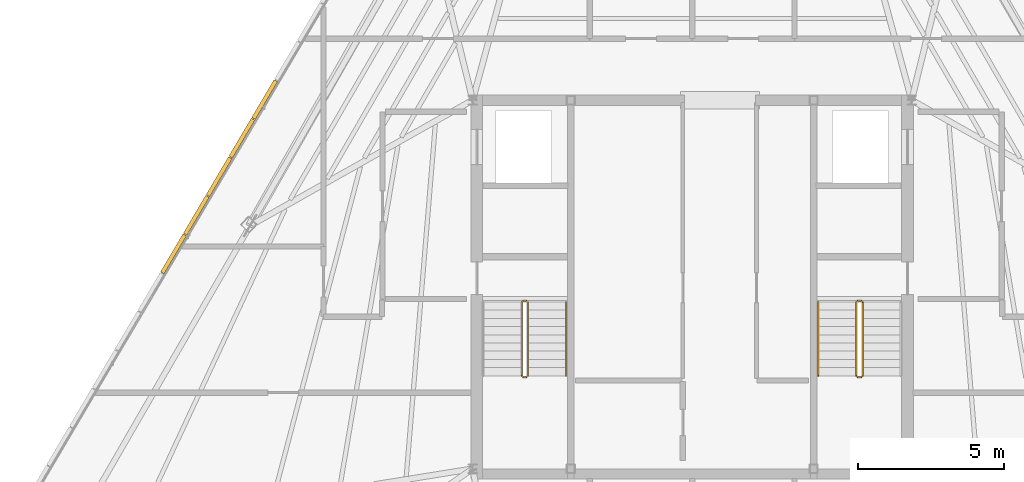
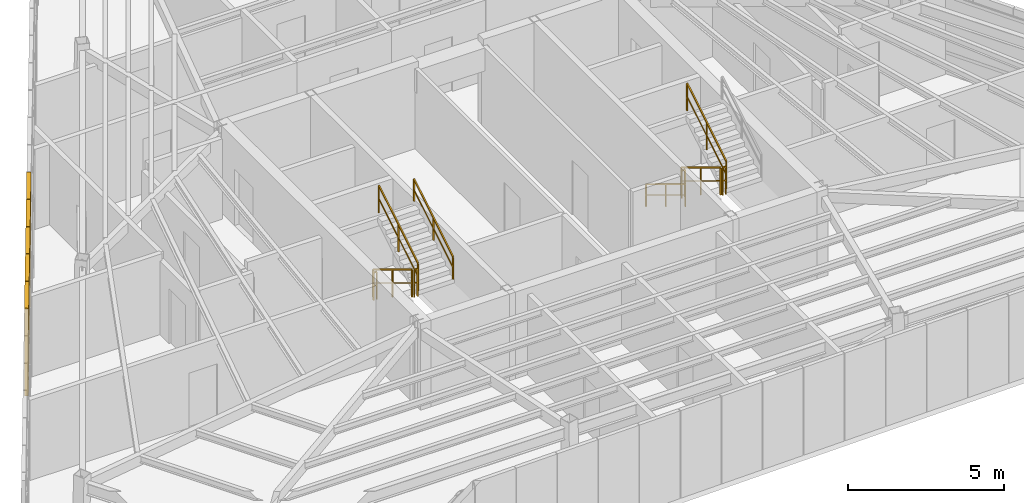
# One storey, part 43 of 44: 10 railings, 5 shading devices.
"""IFC4 building model written with IfcOpenShell, lengths in metres."""

from ifc_helpers import new_model, si_unit, direction, frame, origin, origin_2d, place, context, subcontext, project, spatial, rectangle, extrude, source, transform, mapped, material, layer, layer_set, type_object, type_shapes, element, save


model = new_model("IFC4")

# Units and contexts
model_context = context("Model", 3, precision=1e-05, world=origin(), true_north=direction((0.0, 1.0)))
body_context = subcontext(model_context, "Body", "Model", "MODEL_VIEW")
ifc_project = project(units=[si_unit("LENGTHUNIT", "METRE"), si_unit("AREAUNIT", "SQUARE_METRE"), si_unit("VOLUMEUNIT", "CUBIC_METRE"), si_unit("PLANEANGLEUNIT", "RADIAN"), si_unit("MASSUNIT", "GRAM", prefix="KILO")], contexts=[model_context])

# Site, building, storey
site_placement = place(None, origin())
site = spatial("IfcSite", under=ifc_project, at=site_placement, CompositionType="ELEMENT")
building_placement = place(site_placement, origin())
building = spatial("IfcBuilding", under=site, at=building_placement, Name="Caelisora Broadcast Tower", CompositionType="ELEMENT")
storey_placement = place(building_placement, frame((0.0, 0.0, 289.800048828125)))
storey = spatial("IfcBuildingStorey", under=building, at=storey_placement, Name="L76", CompositionType="ELEMENT", Elevation=289.800048828125)

# Railings
ifc_material_1 = material(Name="Galvanised Steel Safety Guardrail", Category="steel")
ifc_layer_1 = layer(ifc_material_1, 0.048095703125, Name="Galvanised Steel Safety Guardrail")
ifc_layer_set_1 = layer_set([ifc_layer_1], Name="Galvanised Steel Safety Guardrail")
railing_type_1 = type_object("IfcRailingType", Name="GR-1", PredefinedType="GUARDRAIL", material=ifc_layer_set_1)
railing_1_placement = place(storey_placement, frame((32.169921875, 23.10009765625, 0.169921875)))
element("IfcRailing", 1, at=railing_1_placement, inside=storey, type_object=railing_type_1, Name="L76 ST-1 stair guard 1", PredefinedType="GUARDRAIL", context=body_context, shape_type="SweptSolid", body=[
    extrude(rectangle(XDim=0.048095703125, YDim=0.048095703125, at=origin_2d()), frame((0.0, 0.0, 1.076171875), z_axis=(0.0, -0.85478489116, 0.518982456201), x_axis=(1.0, 0.0, 0.0)), (0.0, 0.0, 1.0), 2.9482421875),
    extrude(rectangle(XDim=0.03125, YDim=0.03125, at=origin_2d()), frame((0.0, 0.0, 0.550048828125), z_axis=(0.0, -0.85478489116, 0.518982456201), x_axis=(1.0, 0.0, 0.0)), (0.0, 0.0, 1.0), 2.9482421875),
    extrude(rectangle(XDim=0.0419921875, YDim=0.0419921875, at=origin_2d()), origin(), (0.0, 0.0, 1.0), 1.052001953125),
    extrude(rectangle(XDim=0.0419921875, YDim=0.0419921875, at=origin_2d()), frame((0.0, -1.260009765625, 0.76513671875)), (0.0, 0.0, 1.0), 1.052001953125),
    extrude(rectangle(XDim=0.0419921875, YDim=0.0419921875, at=origin_2d()), frame((0.0, -2.52001953125, 1.530029296875)), (0.0, 0.0, 1.0), 1.052001953125),
])
railing_2_placement = place(storey_placement, frame((32.219970703125, 20.530029296875, 1.699951171875)))
element("IfcRailing", 2, at=railing_2_placement, inside=storey, type_object=railing_type_1, Name="L76 ST-1 stair guard 2", PredefinedType="GUARDRAIL", context=body_context, shape_type="SweptSolid", body=[
    extrude(rectangle(XDim=0.048095703125, YDim=0.048095703125, at=origin_2d()), frame((0.0, 0.0, 1.076171875), z_axis=(1.0, 0.0, 0.0), x_axis=(0.0, 1.0, 0.0)), (0.0, 0.0, 1.0), 0.1201171875),
    extrude(rectangle(XDim=0.03125, YDim=0.03125, at=origin_2d()), frame((0.0, 0.0, 0.550048828125), z_axis=(1.0, 0.0, 0.0), x_axis=(0.0, 1.0, 0.0)), (0.0, 0.0, 1.0), 0.1201171875),
    extrude(rectangle(XDim=0.0419921875, YDim=0.0419921875, at=origin_2d()), origin(), (0.0, 0.0, 1.0), 1.052001953125),
    extrude(rectangle(XDim=0.0419921875, YDim=0.0419921875, at=origin_2d()), frame((0.1201171875, 0.0, 0.0)), (0.0, 0.0, 1.0), 1.052001953125),
])
railing_3_placement = place(storey_placement, frame((32.389892578125, 20.580078125, 1.869873046875)))
element("IfcRailing", 3, at=railing_3_placement, inside=storey, type_object=railing_type_1, Name="L76 ST-1 stair guard 3", PredefinedType="GUARDRAIL", context=body_context, shape_type="SweptSolid", body=[
    extrude(rectangle(XDim=0.048095703125, YDim=0.048095703125, at=origin_2d()), frame((0.0, 0.0, 1.076171875), z_axis=(0.0, 0.85478489116, 0.518982456201), x_axis=(-1.0, 0.0, 0.0)), (0.0, 0.0, 1.0), 2.9482421875),
    extrude(rectangle(XDim=0.03125, YDim=0.03125, at=origin_2d()), frame((0.0, 0.0, 0.550048828125), z_axis=(0.0, 0.85478489116, 0.518982456201), x_axis=(-1.0, 0.0, 0.0)), (0.0, 0.0, 1.0), 2.9482421875),
    extrude(rectangle(XDim=0.0419921875, YDim=0.0419921875, at=origin_2d()), origin(), (0.0, 0.0, 1.0), 1.052001953125),
    extrude(rectangle(XDim=0.0419921875, YDim=0.0419921875, at=origin_2d()), frame((0.0, 1.260009765625, 0.76513671875)), (0.0, 0.0, 1.0), 1.052001953125),
    extrude(rectangle(XDim=0.0419921875, YDim=0.0419921875, at=origin_2d()), frame((0.0, 2.52001953125, 1.530029296875)), (0.0, 0.0, 1.0), 1.052001953125),
])
railing_4_placement = place(storey_placement, frame((32.219970703125, 23.14990234375, 0.0)))
element("IfcRailing", 4, at=railing_4_placement, inside=storey, type_object=railing_type_1, Name="L76 ST-1 stair guard 4", PredefinedType="GUARDRAIL", context=body_context, shape_type="SweptSolid", body=[
    extrude(rectangle(XDim=0.048095703125, YDim=0.048095703125, at=origin_2d()), frame((0.0, 0.0, 1.076171875), z_axis=(1.0, 0.0, 0.0), x_axis=(0.0, 1.0, 0.0)), (0.0, 0.0, 1.0), 0.1201171875),
    extrude(rectangle(XDim=0.03125, YDim=0.03125, at=origin_2d()), frame((0.0, 0.0, 0.550048828125), z_axis=(1.0, 0.0, 0.0), x_axis=(0.0, 1.0, 0.0)), (0.0, 0.0, 1.0), 0.1201171875),
    extrude(rectangle(XDim=0.0419921875, YDim=0.0419921875, at=origin_2d()), origin(), (0.0, 0.0, 1.0), 1.052001953125),
    extrude(rectangle(XDim=0.0419921875, YDim=0.0419921875, at=origin_2d()), frame((0.1201171875, 0.0, 0.0)), (0.0, 0.0, 1.0), 1.052001953125),
])
railing_5_placement = place(storey_placement, frame((43.610107421875, 23.10009765625, 0.169921875)))
element("IfcRailing", 5, at=railing_5_placement, inside=storey, type_object=railing_type_1, Name="L76 ST-2 stair guard 1", PredefinedType="GUARDRAIL", context=body_context, shape_type="SweptSolid", body=[
    extrude(rectangle(XDim=0.048095703125, YDim=0.048095703125, at=origin_2d()), frame((0.0, 0.0, 1.076171875), z_axis=(0.0, -0.85478489116, 0.518982456201), x_axis=(1.0, 0.0, 0.0)), (0.0, 0.0, 1.0), 2.9482421875),
    extrude(rectangle(XDim=0.03125, YDim=0.03125, at=origin_2d()), frame((0.0, 0.0, 0.550048828125), z_axis=(0.0, -0.85478489116, 0.518982456201), x_axis=(1.0, 0.0, 0.0)), (0.0, 0.0, 1.0), 2.9482421875),
    extrude(rectangle(XDim=0.0419921875, YDim=0.0419921875, at=origin_2d()), origin(), (0.0, 0.0, 1.0), 1.052001953125),
    extrude(rectangle(XDim=0.0419921875, YDim=0.0419921875, at=origin_2d()), frame((0.0, -1.260009765625, 0.76513671875)), (0.0, 0.0, 1.0), 1.052001953125),
    extrude(rectangle(XDim=0.0419921875, YDim=0.0419921875, at=origin_2d()), frame((0.0, -2.52001953125, 1.530029296875)), (0.0, 0.0, 1.0), 1.052001953125),
])
railing_6_placement = place(storey_placement, frame((43.659912109375, 20.530029296875, 1.699951171875)))
element("IfcRailing", 6, at=railing_6_placement, inside=storey, type_object=railing_type_1, Name="L76 ST-2 stair guard 2", PredefinedType="GUARDRAIL", context=body_context, shape_type="SweptSolid", body=[
    extrude(rectangle(XDim=0.048095703125, YDim=0.048095703125, at=origin_2d()), frame((0.0, 0.0, 1.076171875), z_axis=(1.0, 0.0, 0.0), x_axis=(0.0, 1.0, 0.0)), (0.0, 0.0, 1.0), 0.1201171875),
    extrude(rectangle(XDim=0.03125, YDim=0.03125, at=origin_2d()), frame((0.0, 0.0, 0.550048828125), z_axis=(1.0, 0.0, 0.0), x_axis=(0.0, 1.0, 0.0)), (0.0, 0.0, 1.0), 0.1201171875),
    extrude(rectangle(XDim=0.0419921875, YDim=0.0419921875, at=origin_2d()), origin(), (0.0, 0.0, 1.0), 1.052001953125),
    extrude(rectangle(XDim=0.0419921875, YDim=0.0419921875, at=origin_2d()), frame((0.1201171875, 0.0, 0.0)), (0.0, 0.0, 1.0), 1.052001953125),
])
railing_7_placement = place(storey_placement, frame((43.830078125, 20.580078125, 1.869873046875)))
element("IfcRailing", 7, at=railing_7_placement, inside=storey, type_object=railing_type_1, Name="L76 ST-2 stair guard 3", PredefinedType="GUARDRAIL", context=body_context, shape_type="SweptSolid", body=[
    extrude(rectangle(XDim=0.048095703125, YDim=0.048095703125, at=origin_2d()), frame((0.0, 0.0, 1.076171875), z_axis=(0.0, 0.85478489116, 0.518982456201), x_axis=(-1.0, 0.0, 0.0)), (0.0, 0.0, 1.0), 2.9482421875),
    extrude(rectangle(XDim=0.03125, YDim=0.03125, at=origin_2d()), frame((0.0, 0.0, 0.550048828125), z_axis=(0.0, 0.85478489116, 0.518982456201), x_axis=(-1.0, 0.0, 0.0)), (0.0, 0.0, 1.0), 2.9482421875),
    extrude(rectangle(XDim=0.0419921875, YDim=0.0419921875, at=origin_2d()), origin(), (0.0, 0.0, 1.0), 1.052001953125),
    extrude(rectangle(XDim=0.0419921875, YDim=0.0419921875, at=origin_2d()), frame((0.0, 1.260009765625, 0.76513671875)), (0.0, 0.0, 1.0), 1.052001953125),
    extrude(rectangle(XDim=0.0419921875, YDim=0.0419921875, at=origin_2d()), frame((0.0, 2.52001953125, 1.530029296875)), (0.0, 0.0, 1.0), 1.052001953125),
])
railing_8_placement = place(storey_placement, frame((43.659912109375, 23.14990234375, 0.0)))
element("IfcRailing", 8, at=railing_8_placement, inside=storey, type_object=railing_type_1, Name="L76 ST-2 stair guard 4", PredefinedType="GUARDRAIL", context=body_context, shape_type="SweptSolid", body=[
    extrude(rectangle(XDim=0.048095703125, YDim=0.048095703125, at=origin_2d()), frame((0.0, 0.0, 1.076171875), z_axis=(1.0, 0.0, 0.0), x_axis=(0.0, 1.0, 0.0)), (0.0, 0.0, 1.0), 0.1201171875),
    extrude(rectangle(XDim=0.03125, YDim=0.03125, at=origin_2d()), frame((0.0, 0.0, 0.550048828125), z_axis=(1.0, 0.0, 0.0), x_axis=(0.0, 1.0, 0.0)), (0.0, 0.0, 1.0), 0.1201171875),
    extrude(rectangle(XDim=0.0419921875, YDim=0.0419921875, at=origin_2d()), origin(), (0.0, 0.0, 1.0), 1.052001953125),
    extrude(rectangle(XDim=0.0419921875, YDim=0.0419921875, at=origin_2d()), frame((0.1201171875, 0.0, 0.0)), (0.0, 0.0, 1.0), 1.052001953125),
])
ifc_material_2 = material(Name="Stainless Steel Grade 316 Tubular Handrail", Category="steel")
ifc_layer_2 = layer(ifc_material_2, 0.048095703125, Name="Stainless Steel Grade 316 Tubular Handrail")
ifc_layer_set_2 = layer_set([ifc_layer_2], Name="Stainless Steel Grade 316 Tubular Handrail")
railing_type_2 = type_object("IfcRailingType", Name="HR-1", PredefinedType="HANDRAIL", material=ifc_layer_set_2)
railing_9_placement = place(storey_placement, frame((33.68994140625, 20.580078125, 1.869873046875)))
element("IfcRailing", 9, at=railing_9_placement, inside=storey, type_object=railing_type_2, Name="L76 ST-1 stair handrail 2", PredefinedType="HANDRAIL", context=body_context, shape_type="SweptSolid", body=[
    extrude(rectangle(XDim=0.048095703125, YDim=0.048095703125, at=origin_2d()), frame((0.0, 0.0, 0.8759765625), z_axis=(0.0, 0.85478489116, 0.518982456201), x_axis=(-1.0, 0.0, 0.0)), (0.0, 0.0, 1.0), 2.9482421875),
    extrude(rectangle(XDim=0.03125, YDim=0.03125, at=origin_2d()), frame((0.0, 0.0, 0.449951171875), z_axis=(0.0, 0.85478489116, 0.518982456201), x_axis=(-1.0, 0.0, 0.0)), (0.0, 0.0, 1.0), 2.9482421875),
    extrude(rectangle(XDim=0.0419921875, YDim=0.0419921875, at=origin_2d()), origin(), (0.0, 0.0, 1.0), 0.851806640625),
    extrude(rectangle(XDim=0.0419921875, YDim=0.0419921875, at=origin_2d()), frame((0.0, 1.260009765625, 0.76513671875)), (0.0, 0.0, 1.0), 0.851806640625),
    extrude(rectangle(XDim=0.0419921875, YDim=0.0419921875, at=origin_2d()), frame((0.0, 2.52001953125, 1.530029296875)), (0.0, 0.0, 1.0), 0.851806640625),
])
railing_10_placement = place(storey_placement, frame((42.31005859375, 23.10009765625, 0.169921875)))
element("IfcRailing", 10, at=railing_10_placement, inside=storey, type_object=railing_type_2, Name="L76 ST-2 stair handrail 1", PredefinedType="HANDRAIL", context=body_context, shape_type="SweptSolid", body=[
    extrude(rectangle(XDim=0.048095703125, YDim=0.048095703125, at=origin_2d()), frame((0.0, 0.0, 0.8759765625), z_axis=(0.0, -0.85478489116, 0.518982456201), x_axis=(1.0, 0.0, 0.0)), (0.0, 0.0, 1.0), 2.9482421875),
    extrude(rectangle(XDim=0.03125, YDim=0.03125, at=origin_2d()), frame((0.0, 0.0, 0.449951171875), z_axis=(0.0, -0.85478489116, 0.518982456201), x_axis=(1.0, 0.0, 0.0)), (0.0, 0.0, 1.0), 2.9482421875),
    extrude(rectangle(XDim=0.0419921875, YDim=0.0419921875, at=origin_2d()), origin(), (0.0, 0.0, 1.0), 0.851806640625),
    extrude(rectangle(XDim=0.0419921875, YDim=0.0419921875, at=origin_2d()), frame((0.0, -1.260009765625, 0.76513671875)), (0.0, 0.0, 1.0), 0.851806640625),
    extrude(rectangle(XDim=0.0419921875, YDim=0.0419921875, at=origin_2d()), frame((0.0, -2.52001953125, 1.530029296875)), (0.0, 0.0, 1.0), 0.851806640625),
])

# Shading devices
ifc_material_3 = material(Name="Anodised Terracotta Aluminium Acoustic Louvre", Category="aluminium")
ifc_layer_3 = layer(ifc_material_3, 0.139892578125, Name="Anodised Terracotta Aluminium Acoustic Louvre")
ifc_layer_set_3 = layer_set([ifc_layer_3], Name="Anodised Terracotta Aluminium Acoustic Louvre")
shading_device_type = type_object("IfcShadingDeviceType", Name="LV-1", PredefinedType="JALOUSIE", material=ifc_layer_set_3)
shared_shape = source(origin(), body_context, "Body", "SweptSolid", [
    extrude(rectangle(XDim=1.50048828125, YDim=0.139892578125, at=origin_2d()), origin(), (0.0, 0.0, 1.0), 3.43994140625),
])
type_shapes(shading_device_type, [shared_shape])
for number, where, z_axis, x_axis, name in (
    (11, (23.388916015625, 30.0185546875, -0.02001953125), (0.0, 0.0, 1.0), (-0.508740929096, -0.860919663536, 0.0), "L76 crown acoustic louvre #020"),
    (12, (22.610107421875, 28.70068359375, -0.02001953125), (0.0, 0.0, 1.0), (-0.508740929096, -0.860919663536, 0.0), "L76 crown acoustic louvre #021"),
    (13, (21.83154296875, 27.383056640625, -0.02001953125), (0.0, 0.0, 1.0), (-0.508740929096, -0.860919663536, 0.0), "L76 crown acoustic louvre #022"),
    (14, (21.052734375, 26.065185546875, -0.02001953125), (0.0, 0.0, 1.0), (-0.508740929096, -0.860919663536, 0.0), "L76 crown acoustic louvre #023"),
    (15, (20.274169921875, 24.747314453125, -0.02001953125), (0.0, 0.0, 1.0), (-0.508740929096, -0.860919663536, 0.0), "L76 crown acoustic louvre #024"),
):
    element("IfcShadingDevice", number, at=place(storey_placement, frame(where, z_axis=z_axis, x_axis=x_axis)), inside=storey, type_object=shading_device_type, Name=name, PredefinedType="JALOUSIE", context=body_context, shape_type="MappedRepresentation", body=[
        mapped(shared_shape, transform((0.0, 0.0, 0.0), scale=1.0)),
    ])

save(model, "model.ifc")
